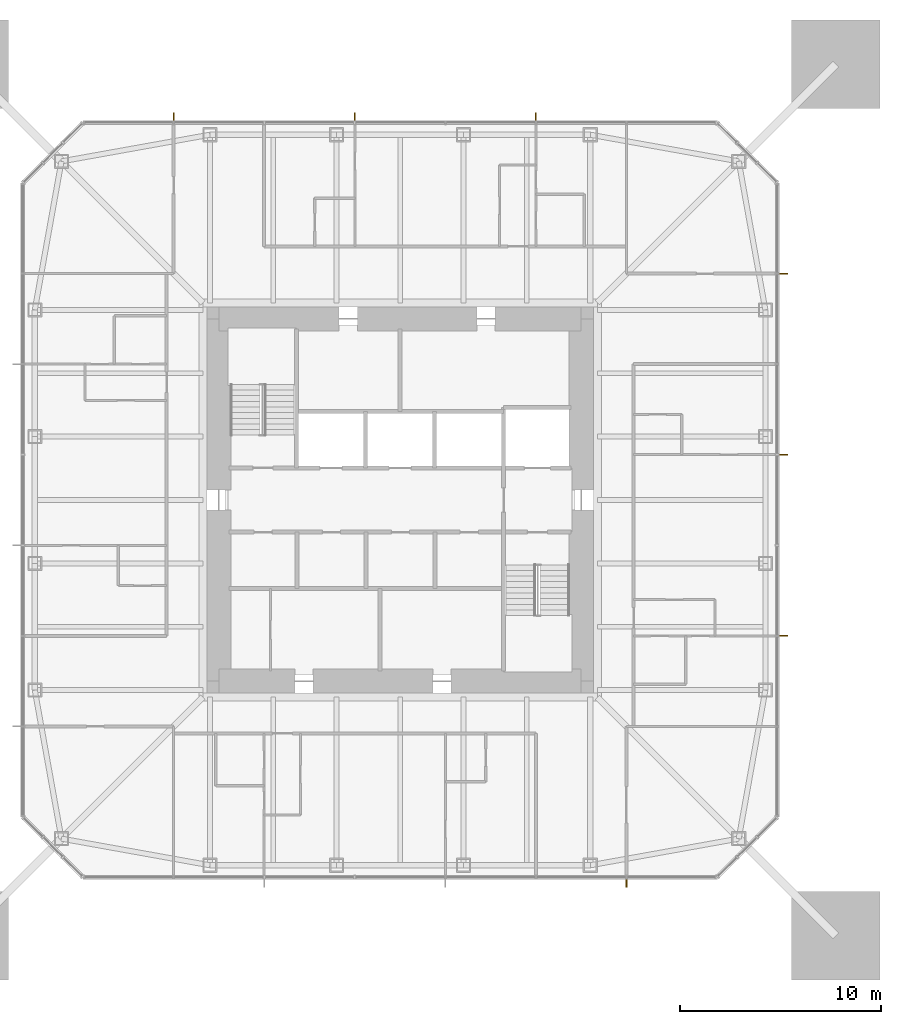
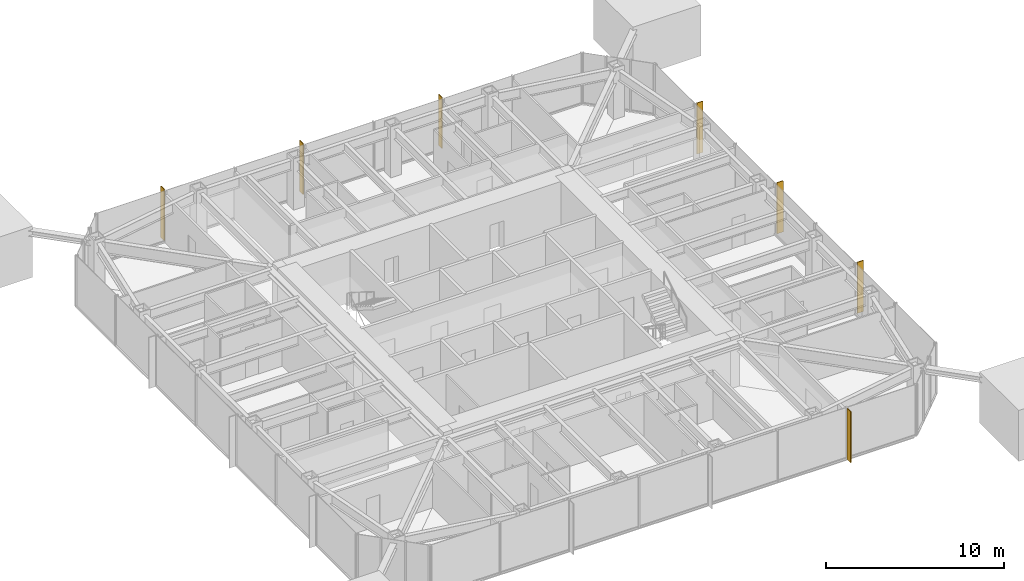
# One storey, part 11 of 11: 7 shading devices.
"""IFC4 building model written with IfcOpenShell, lengths in metres."""

from ifc_helpers import new_model, si_unit, direction, frame, origin, origin_2d, place, context, subcontext, project, spatial, rectangle, extrude, material, layer, layer_set, type_object, element, save


model = new_model("IFC4")

# Units and contexts
model_context = context("Model", 3, precision=1e-05, world=origin(), true_north=direction((0.0, 1.0)))
body_context = subcontext(model_context, "Body", "Model", "MODEL_VIEW")
ifc_project = project(units=[si_unit("LENGTHUNIT", "METRE"), si_unit("AREAUNIT", "SQUARE_METRE"), si_unit("VOLUMEUNIT", "CUBIC_METRE"), si_unit("PLANEANGLEUNIT", "RADIAN"), si_unit("MASSUNIT", "GRAM", prefix="KILO")], contexts=[model_context])

# Site, building, storey
site_placement = place(None, origin())
site = spatial("IfcSite", under=ifc_project, at=site_placement, CompositionType="ELEMENT")
building_placement = place(site_placement, origin())
building = spatial("IfcBuilding", under=site, at=building_placement, Name="Iwan Alto Co-Living Towers", CompositionType="ELEMENT")
storey_placement = place(building_placement, frame((0.0, 0.0, 181.0)))
storey = spatial("IfcBuildingStorey", under=building, at=storey_placement, Name="L49", CompositionType="ELEMENT", Elevation=181.0)

# Shading devices
ifc_material = material(Name="Aluminium 6063-T6 bronze anodised", Category="aluminium")
ifc_layer = layer(ifc_material, 0.050048828125)
ifc_layer_set = layer_set([ifc_layer], Name="BRONZE FIN 50X400")
shading_device_type = type_object("IfcShadingDeviceType", Name="BRONZE FIN 50X400", PredefinedType="USERDEFINED", material=ifc_layer_set)
for number, where, z_axis, x_axis, name in (
    (1, (11.25, -19.050048828125, 0.0), (0.0, 0.0, 1.0), (1.0, 0.0, 0.0), "Bronze fin L49"),
    (2, (19.050048828125, -6.75, 0.0), (0.0, 0.0, 1.0), (0.0, 1.0, 0.0), "Bronze fin L49"),
    (3, (19.050048828125, 2.25, 0.0), (0.0, 0.0, 1.0), (0.0, 1.0, 0.0), "Bronze fin L49"),
    (4, (19.050048828125, 11.25, 0.0), (0.0, 0.0, 1.0), (0.0, 1.0, 0.0), "Bronze fin L49"),
    (5, (6.75, 19.050048828125, 0.0), (0.0, 0.0, 1.0), (-1.0, 0.0, 0.0), "Bronze fin L49"),
    (6, (-2.25, 19.050048828125, 0.0), (0.0, 0.0, 1.0), (-1.0, 0.0, 0.0), "Bronze fin L49"),
    (7, (-11.25, 19.050048828125, 0.0), (0.0, 0.0, 1.0), (-1.0, 0.0, 0.0), "Bronze fin L49"),
):
    element("IfcShadingDevice", number, at=place(storey_placement, frame(where, z_axis=z_axis, x_axis=x_axis)), inside=storey, type_object=shading_device_type, Name=name, ObjectType="LOUVER", PredefinedType="USERDEFINED", context=body_context, shape_type="SweptSolid", body=[
        extrude(rectangle(XDim=0.050048828125, YDim=0.39990234375, at=origin_2d()), origin(), (0.0, 0.0, 1.0), 3.5),
    ])

save(model, "model.ifc")
